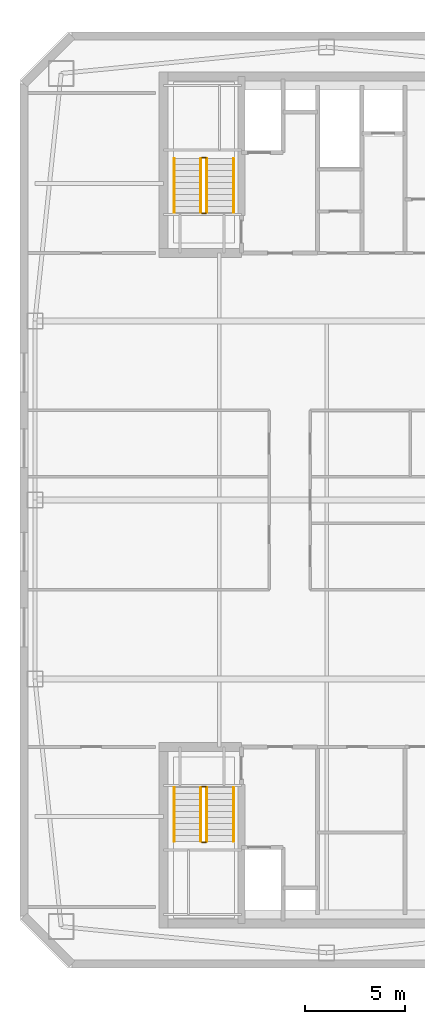
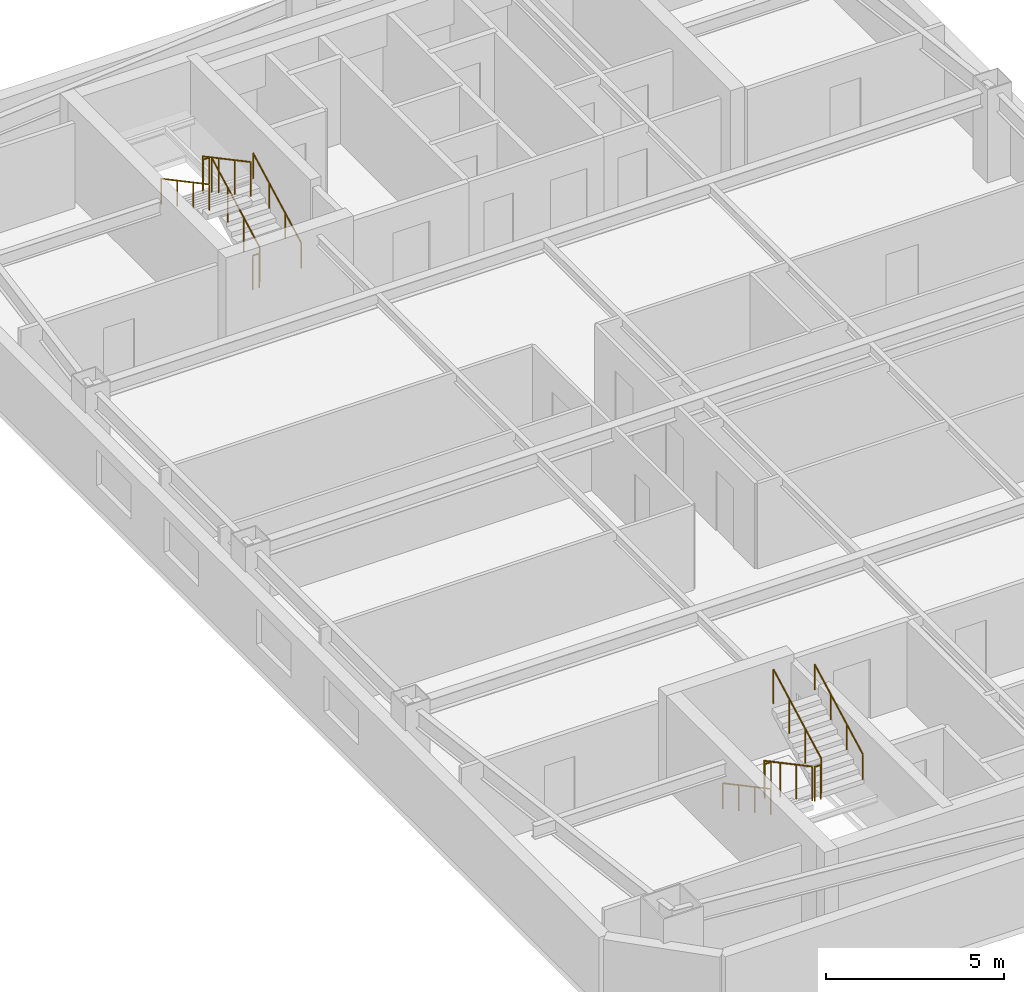
# One storey, part 12 of 13: 12 railings.
"""IFC4 building model written with IfcOpenShell, lengths in metres."""

from ifc_helpers import new_model, si_unit, direction, frame, origin, origin_2d, place, context, subcontext, project, spatial, circle, extrude, material, type_object, element, save


model = new_model("IFC4")

# Units and contexts
model_context = context("Model", 3, precision=1e-05, world=origin(), true_north=direction((0.0, 1.0)))
body_context = subcontext(model_context, "Body", "Model", "MODEL_VIEW")
ifc_project = project(units=[si_unit("LENGTHUNIT", "METRE"), si_unit("AREAUNIT", "SQUARE_METRE"), si_unit("VOLUMEUNIT", "CUBIC_METRE"), si_unit("PLANEANGLEUNIT", "RADIAN"), si_unit("MASSUNIT", "GRAM", prefix="KILO")], contexts=[model_context])

# Site, building, storey
site_placement = place(None, origin())
site = spatial("IfcSite", under=ifc_project, at=site_placement, CompositionType="ELEMENT")
building_placement = place(site_placement, origin())
building = spatial("IfcBuilding", under=site, at=building_placement, Name="Qiaolan Cultural Towers", CompositionType="ELEMENT")
storey_placement = place(building_placement, frame((0.0, 0.0, 234.39990234375)))
storey = spatial("IfcBuildingStorey", under=building, at=storey_placement, Name="L63", CompositionType="ELEMENT", Elevation=234.39990234375)

# Railings
ifc_material_1 = material(Name="Galvanized Painted Steel Stair Guardrail", Category="steel")
railing_type_1 = type_object("IfcRailingType", Name="RL-STAIR-GRD", PredefinedType="GUARDRAIL", material=ifc_material_1)
railing_1_placement = place(storey_placement, frame((23.68994140625, 19.550048828125, 0.16015625)))
element("IfcRailing", 1, at=railing_1_placement, inside=storey, type_object=railing_type_1, Name="L63 ST-W1 stair guard 1", PredefinedType="GUARDRAIL", context=body_context, shape_type="SweptSolid", body=[
    extrude(circle(Radius=0.02392578125, at=origin_2d()), frame((0.0, 0.0, 1.17578125), z_axis=(0.0, -0.882357358376, 0.470579952952), x_axis=(1.0, 0.0, 0.0)), (0.0, 0.0, 1.0), 3.059814453125),
    extrude(circle(Radius=0.02099609375, at=origin_2d()), origin(), (0.0, 0.0, 1.0), 1.15185546875),
    extrude(circle(Radius=0.02099609375, at=origin_2d()), frame((0.0, -0.89990234375, 0.47998046875)), (0.0, 0.0, 1.0), 1.15185546875),
    extrude(circle(Radius=0.02099609375, at=origin_2d()), frame((0.0, -1.800048828125, 0.9599609375)), (0.0, 0.0, 1.0), 1.15185546875),
    extrude(circle(Radius=0.02099609375, at=origin_2d()), frame((0.0, -2.699951171875, 1.43994140625)), (0.0, 0.0, 1.0), 1.15185546875),
])
railing_2_placement = place(storey_placement, frame((23.739990234375, 16.800048828125, 1.60009765625)))
element("IfcRailing", 2, at=railing_2_placement, inside=storey, type_object=railing_type_1, Name="L63 ST-W1 stair guard 2", PredefinedType="GUARDRAIL", context=body_context, shape_type="SweptSolid", body=[
    extrude(circle(Radius=0.02392578125, at=origin_2d()), frame((0.0, 0.0, 1.17578125), z_axis=(1.0, 0.0, 0.0), x_axis=(0.0, 1.0, 0.0)), (0.0, 0.0, 1.0), 0.199951171875),
    extrude(circle(Radius=0.02099609375, at=origin_2d()), origin(), (0.0, 0.0, 1.0), 1.15185546875),
    extrude(circle(Radius=0.02099609375, at=origin_2d()), frame((0.199951171875, 0.0, 0.0)), (0.0, 0.0, 1.0), 1.15185546875),
])
railing_3_placement = place(storey_placement, frame((23.989990234375, 16.85009765625, 1.760009765625)))
element("IfcRailing", 3, at=railing_3_placement, inside=storey, type_object=railing_type_1, Name="L63 ST-W1 stair guard 3", PredefinedType="GUARDRAIL", context=body_context, shape_type="SweptSolid", body=[
    extrude(circle(Radius=0.02392578125, at=origin_2d()), frame((0.0, 0.0, 1.17578125), z_axis=(0.0, 0.882324228566, 0.470642067484), x_axis=(-1.0, 0.0, 0.0)), (0.0, 0.0, 1.0), 3.06005859375),
    extrude(circle(Radius=0.02099609375, at=origin_2d()), origin(), (0.0, 0.0, 1.0), 1.15185546875),
    extrude(circle(Radius=0.02099609375, at=origin_2d()), frame((0.0, 0.89990234375, 0.47998046875)), (0.0, 0.0, 1.0), 1.15185546875),
    extrude(circle(Radius=0.02099609375, at=origin_2d()), frame((0.0, 1.800048828125, 0.960205078125)), (0.0, 0.0, 1.0), 1.15185546875),
    extrude(circle(Radius=0.02099609375, at=origin_2d()), frame((0.0, 2.699951171875, 1.440185546875)), (0.0, 0.0, 1.0), 1.15185546875),
])
railing_4_placement = place(storey_placement, frame((23.739990234375, 19.60009765625, 0.0)))
element("IfcRailing", 4, at=railing_4_placement, inside=storey, type_object=railing_type_1, Name="L63 ST-W1 stair guard 4", PredefinedType="GUARDRAIL", context=body_context, shape_type="SweptSolid", body=[
    extrude(circle(Radius=0.02392578125, at=origin_2d()), frame((0.0, 0.0, 1.17578125), z_axis=(1.0, 0.0, 0.0), x_axis=(0.0, 1.0, 0.0)), (0.0, 0.0, 1.0), 0.199951171875),
    extrude(circle(Radius=0.02099609375, at=origin_2d()), origin(), (0.0, 0.0, 1.0), 1.15185546875),
    extrude(circle(Radius=0.02099609375, at=origin_2d()), frame((0.199951171875, 0.0, 0.0)), (0.0, 0.0, 1.0), 1.15185546875),
])
railing_5_placement = place(storey_placement, frame((23.989990234375, 48.449951171875, 0.16015625)))
element("IfcRailing", 5, at=railing_5_placement, inside=storey, type_object=railing_type_1, Name="L63 ST-W2 stair guard 1", PredefinedType="GUARDRAIL", context=body_context, shape_type="SweptSolid", body=[
    extrude(circle(Radius=0.02392578125, at=origin_2d()), frame((0.0, 0.0, 1.17578125), z_axis=(0.0, 0.882357358376, 0.470579952952), x_axis=(-1.0, 0.0, 0.0)), (0.0, 0.0, 1.0), 3.059814453125),
    extrude(circle(Radius=0.02099609375, at=origin_2d()), origin(), (0.0, 0.0, 1.0), 1.15185546875),
    extrude(circle(Radius=0.02099609375, at=origin_2d()), frame((0.0, 0.89990234375, 0.47998046875)), (0.0, 0.0, 1.0), 1.15185546875),
    extrude(circle(Radius=0.02099609375, at=origin_2d()), frame((0.0, 1.800048828125, 0.9599609375)), (0.0, 0.0, 1.0), 1.15185546875),
    extrude(circle(Radius=0.02099609375, at=origin_2d()), frame((0.0, 2.699951171875, 1.43994140625)), (0.0, 0.0, 1.0), 1.15185546875),
])
railing_6_placement = place(storey_placement, frame((23.93994140625, 51.199951171875, 1.60009765625)))
element("IfcRailing", 6, at=railing_6_placement, inside=storey, type_object=railing_type_1, Name="L63 ST-W2 stair guard 2", PredefinedType="GUARDRAIL", context=body_context, shape_type="SweptSolid", body=[
    extrude(circle(Radius=0.02392578125, at=origin_2d()), frame((0.0, 0.0, 1.17578125), z_axis=(-1.0, 0.0, 0.0), x_axis=(0.0, -1.0, 0.0)), (0.0, 0.0, 1.0), 0.199951171875),
    extrude(circle(Radius=0.02099609375, at=origin_2d()), origin(), (0.0, 0.0, 1.0), 1.15185546875),
    extrude(circle(Radius=0.02099609375, at=origin_2d()), frame((-0.199951171875, 0.0, 0.0)), (0.0, 0.0, 1.0), 1.15185546875),
])
railing_7_placement = place(storey_placement, frame((23.68994140625, 51.14990234375, 1.760009765625)))
element("IfcRailing", 7, at=railing_7_placement, inside=storey, type_object=railing_type_1, Name="L63 ST-W2 stair guard 3", PredefinedType="GUARDRAIL", context=body_context, shape_type="SweptSolid", body=[
    extrude(circle(Radius=0.02392578125, at=origin_2d()), frame((0.0, 0.0, 1.17578125), z_axis=(0.0, -0.882324228566, 0.470642067484), x_axis=(1.0, 0.0, 0.0)), (0.0, 0.0, 1.0), 3.06005859375),
    extrude(circle(Radius=0.02099609375, at=origin_2d()), origin(), (0.0, 0.0, 1.0), 1.15185546875),
    extrude(circle(Radius=0.02099609375, at=origin_2d()), frame((0.0, -0.89990234375, 0.47998046875)), (0.0, 0.0, 1.0), 1.15185546875),
    extrude(circle(Radius=0.02099609375, at=origin_2d()), frame((0.0, -1.800048828125, 0.960205078125)), (0.0, 0.0, 1.0), 1.15185546875),
    extrude(circle(Radius=0.02099609375, at=origin_2d()), frame((0.0, -2.699951171875, 1.440185546875)), (0.0, 0.0, 1.0), 1.15185546875),
])
railing_8_placement = place(storey_placement, frame((23.93994140625, 48.39990234375, 0.0)))
element("IfcRailing", 8, at=railing_8_placement, inside=storey, type_object=railing_type_1, Name="L63 ST-W2 stair guard 4", PredefinedType="GUARDRAIL", context=body_context, shape_type="SweptSolid", body=[
    extrude(circle(Radius=0.02392578125, at=origin_2d()), frame((0.0, 0.0, 1.17578125), z_axis=(-1.0, 0.0, 0.0), x_axis=(0.0, -1.0, 0.0)), (0.0, 0.0, 1.0), 0.199951171875),
    extrude(circle(Radius=0.02099609375, at=origin_2d()), origin(), (0.0, 0.0, 1.0), 1.15185546875),
    extrude(circle(Radius=0.02099609375, at=origin_2d()), frame((-0.199951171875, 0.0, 0.0)), (0.0, 0.0, 1.0), 1.15185546875),
])
ifc_material_2 = material(Name="Stainless Steel S30408 Tubular Handrail", Category="steel")
railing_type_2 = type_object("IfcRailingType", Name="RL-STAIR-HR", PredefinedType="HANDRAIL", material=ifc_material_2)
railing_9_placement = place(storey_placement, frame((22.35009765625, 19.550048828125, 0.16015625)))
element("IfcRailing", 9, at=railing_9_placement, inside=storey, type_object=railing_type_2, Name="L63 ST-W1 stair handrail 1", PredefinedType="HANDRAIL", context=body_context, shape_type="SweptSolid", body=[
    extrude(circle(Radius=0.02392578125, at=origin_2d()), frame((0.0, 0.0, 0.8759765625), z_axis=(0.0, -0.882357358376, 0.470579952952), x_axis=(1.0, 0.0, 0.0)), (0.0, 0.0, 1.0), 3.059814453125),
    extrude(circle(Radius=0.02099609375, at=origin_2d()), origin(), (0.0, 0.0, 1.0), 0.851806640625),
    extrude(circle(Radius=0.02099609375, at=origin_2d()), frame((0.0, -0.89990234375, 0.47998046875)), (0.0, 0.0, 1.0), 0.851806640625),
    extrude(circle(Radius=0.02099609375, at=origin_2d()), frame((0.0, -1.800048828125, 0.9599609375)), (0.0, 0.0, 1.0), 0.851806640625),
    extrude(circle(Radius=0.02099609375, at=origin_2d()), frame((0.0, -2.699951171875, 1.43994140625)), (0.0, 0.0, 1.0), 0.851806640625),
])
railing_10_placement = place(storey_placement, frame((25.330078125, 16.85009765625, 1.760009765625)))
element("IfcRailing", 10, at=railing_10_placement, inside=storey, type_object=railing_type_2, Name="L63 ST-W1 stair handrail 2", PredefinedType="HANDRAIL", context=body_context, shape_type="SweptSolid", body=[
    extrude(circle(Radius=0.02392578125, at=origin_2d()), frame((0.0, 0.0, 0.8759765625), z_axis=(0.0, 0.882324228566, 0.470642067484), x_axis=(-1.0, 0.0, 0.0)), (0.0, 0.0, 1.0), 3.06005859375),
    extrude(circle(Radius=0.02099609375, at=origin_2d()), origin(), (0.0, 0.0, 1.0), 0.851806640625),
    extrude(circle(Radius=0.02099609375, at=origin_2d()), frame((0.0, 0.89990234375, 0.47998046875)), (0.0, 0.0, 1.0), 0.851806640625),
    extrude(circle(Radius=0.02099609375, at=origin_2d()), frame((0.0, 1.800048828125, 0.960205078125)), (0.0, 0.0, 1.0), 0.851806640625),
    extrude(circle(Radius=0.02099609375, at=origin_2d()), frame((0.0, 2.699951171875, 1.440185546875)), (0.0, 0.0, 1.0), 0.851806640625),
])
railing_11_placement = place(storey_placement, frame((25.330078125, 48.449951171875, 0.16015625)))
element("IfcRailing", 11, at=railing_11_placement, inside=storey, type_object=railing_type_2, Name="L63 ST-W2 stair handrail 1", PredefinedType="HANDRAIL", context=body_context, shape_type="SweptSolid", body=[
    extrude(circle(Radius=0.02392578125, at=origin_2d()), frame((0.0, 0.0, 0.8759765625), z_axis=(0.0, 0.882357358376, 0.470579952952), x_axis=(-1.0, 0.0, 0.0)), (0.0, 0.0, 1.0), 3.059814453125),
    extrude(circle(Radius=0.02099609375, at=origin_2d()), origin(), (0.0, 0.0, 1.0), 0.851806640625),
    extrude(circle(Radius=0.02099609375, at=origin_2d()), frame((0.0, 0.89990234375, 0.47998046875)), (0.0, 0.0, 1.0), 0.851806640625),
    extrude(circle(Radius=0.02099609375, at=origin_2d()), frame((0.0, 1.800048828125, 0.9599609375)), (0.0, 0.0, 1.0), 0.851806640625),
    extrude(circle(Radius=0.02099609375, at=origin_2d()), frame((0.0, 2.699951171875, 1.43994140625)), (0.0, 0.0, 1.0), 0.851806640625),
])
railing_12_placement = place(storey_placement, frame((22.35009765625, 51.14990234375, 1.760009765625)))
element("IfcRailing", 12, at=railing_12_placement, inside=storey, type_object=railing_type_2, Name="L63 ST-W2 stair handrail 2", PredefinedType="HANDRAIL", context=body_context, shape_type="SweptSolid", body=[
    extrude(circle(Radius=0.02392578125, at=origin_2d()), frame((0.0, 0.0, 0.8759765625), z_axis=(0.0, -0.882324228566, 0.470642067484), x_axis=(1.0, 0.0, 0.0)), (0.0, 0.0, 1.0), 3.06005859375),
    extrude(circle(Radius=0.02099609375, at=origin_2d()), origin(), (0.0, 0.0, 1.0), 0.851806640625),
    extrude(circle(Radius=0.02099609375, at=origin_2d()), frame((0.0, -0.89990234375, 0.47998046875)), (0.0, 0.0, 1.0), 0.851806640625),
    extrude(circle(Radius=0.02099609375, at=origin_2d()), frame((0.0, -1.800048828125, 0.960205078125)), (0.0, 0.0, 1.0), 0.851806640625),
    extrude(circle(Radius=0.02099609375, at=origin_2d()), frame((0.0, -2.699951171875, 1.440185546875)), (0.0, 0.0, 1.0), 0.851806640625),
])

save(model, "model.ifc")
